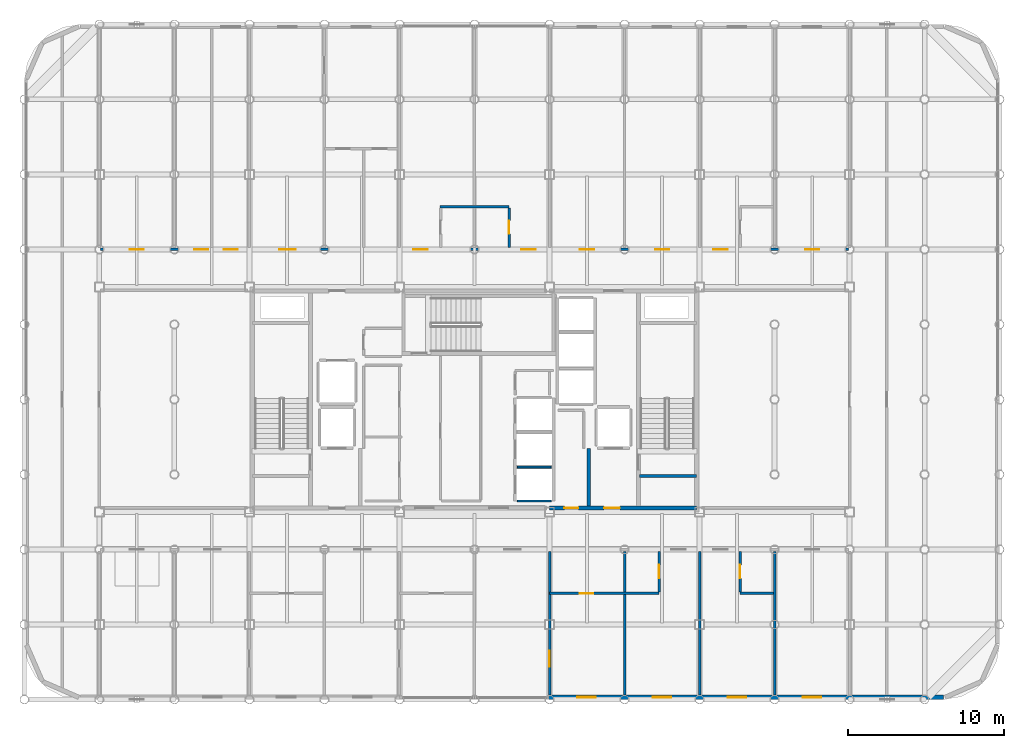
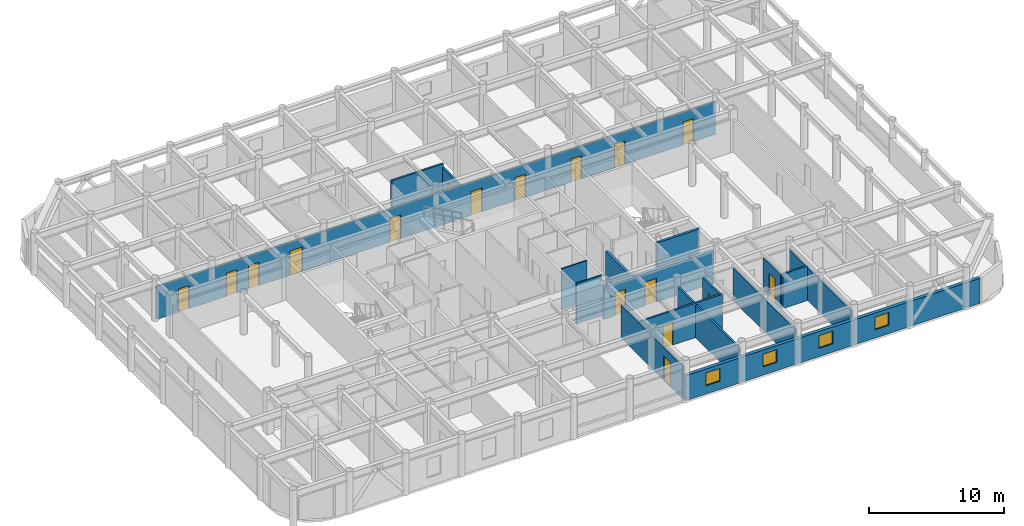
# One storey, part 20 of 24: 17 doors, 17 walls, 4 windows, 21 openings.
"""IFC4 building model written with IfcOpenShell, lengths in metres."""

from ifc_helpers import new_model, si_unit, direction, frame, frame_2d, origin, place, context, subcontext, project, spatial, rectangle, extrude, material, layer, layer_set, type_object, element, fill, save


model = new_model("IFC4")

# Units and contexts
model_context = context("Model", 3, precision=1e-05, world=origin(), true_north=direction((0.0, 1.0)))
body_context = subcontext(model_context, "Body", "Model", "MODEL_VIEW")
ifc_project = project(units=[si_unit("LENGTHUNIT", "METRE"), si_unit("AREAUNIT", "SQUARE_METRE"), si_unit("VOLUMEUNIT", "CUBIC_METRE"), si_unit("PLANEANGLEUNIT", "RADIAN"), si_unit("MASSUNIT", "GRAM", prefix="KILO")], contexts=[model_context])

# Site, building, storey
site_placement = place(None, origin())
site = spatial("IfcSite", under=ifc_project, at=site_placement, CompositionType="ELEMENT")
building_placement = place(site_placement, origin())
building = spatial("IfcBuilding", under=site, at=building_placement, Name="Kallvorn Hotel Tower", CompositionType="ELEMENT")
storey_placement = place(building_placement, frame((0.0, 0.0, 233.85009765625)))
storey = spatial("IfcBuildingStorey", under=building, at=storey_placement, Name="L58", CompositionType="ELEMENT", Elevation=233.85009765625)

# Wall, opening, door
ifc_material_1 = material(Name="Fire-rated double-layer acoustic gypsum drywall EI 60")
ifc_layer_1 = layer(ifc_material_1, 0.159912109375)
ifc_layer_set_1 = layer_set([ifc_layer_1], Name="WL_DEMISE_160")
wall_type_1 = type_object("IfcWallType", Name="WL_DEMISE_160", PredefinedType="PARTITIONING", material=ifc_layer_set_1)
wall_1_placement = place(storey_placement, frame((4.800048828125, -12.409912109375, 0.0), z_axis=(0.0, 0.0, 1.0), x_axis=(1.0, 0.0, 0.0)))
wall_1 = element("IfcWall", 1, at=wall_1_placement, inside=storey, type_object=wall_type_1, Name="L58 Suite 5803 Executive Bedroom Partition", PredefinedType="PARTITIONING", context=body_context, shape_type="SweptSolid", body=[
    extrude(rectangle(XDim=7.010009765625, YDim=0.159912109375, at=frame_2d((3.5048828125, 0.0))), origin(), (0.0, 0.0, 1.0), 3.119873046875),
])
opening_1_placement = place(wall_1_placement, frame((1.929931640625, 0.0, 0.0)))
opening_1 = element("IfcOpeningElement", 2, at=opening_1_placement, cuts=wall_1, Name="Opening BD-I", PredefinedType="OPENING", context=body_context, shape_type="SweptSolid", body=[
    extrude(rectangle(XDim=0.860107421875, YDim=2.10009765625, at=frame_2d((0.43017578125, 1.050048828125))), frame((0.0, 0.094970703125, 0.0), z_axis=(0.0, -1.0, 0.0), x_axis=(1.0, 0.0, 0.0)), (0.0, 0.0, 1.0), 0.18994140625),
])
ifc_material_2 = material(Name="Solid-core walnut veneer fire-rated timber door leaf", Category="wood")
door_type_1 = type_object("IfcDoorType", Name="DR_BATH_860x2100", OperationType="NOTDEFINED", PredefinedType="DOOR", material=ifc_material_2)
door_1_placement = place(opening_1_placement, origin())
door_1 = element("IfcDoor", 3, at=door_1_placement, inside=storey, type_object=door_type_1, Name="L58 Suite 5803 En-Suite Bathroom Door", OperationType="SINGLE_SWING_RIGHT", OverallHeight=2.10009765625, OverallWidth=0.860107421875, PredefinedType="DOOR", context=body_context, shape_type="SweptSolid", body=[
    extrude(rectangle(XDim=0.860107421875, YDim=2.10009765625, at=frame_2d((0.43017578125, 1.050048828125))), frame((0.0, 0.02490234375, 0.0), z_axis=(0.0, -1.0, 0.0), x_axis=(1.0, 0.0, 0.0)), (0.0, 0.0, 1.0), 0.050048828125),
])
fill(opening_1, door_1)

# Wall
wall_2_placement = place(storey_placement, frame((16.989990234375, -12.409912109375, 0.0), z_axis=(0.0, 0.0, 1.0), x_axis=(1.0, 0.0, 0.0)))
element("IfcWall", 4, at=wall_2_placement, inside=storey, type_object=wall_type_1, Name="L58 Suite 5805 Deluxe King Room Partition", PredefinedType="PARTITIONING", context=body_context, shape_type="SweptSolid", body=[
    extrude(rectangle(XDim=2.130126953125, YDim=0.159912109375, at=frame_2d((1.06494140625, 0.0))), origin(), (0.0, 0.0, 1.0), 3.119873046875),
])

# Wall, openings, doors
wall_3_placement = place(storey_placement, frame((-23.919921875, 9.60009765625, 0.0), z_axis=(0.0, 0.0, 1.0), x_axis=(1.0, 0.0, 0.0)))
wall_3 = element("IfcWall", 5, at=wall_3_placement, inside=storey, type_object=wall_type_1, Name="L58 Suite 5806 Junior Living Salon Partition", PredefinedType="PARTITIONING", context=body_context, shape_type="SweptSolid", body=[
    extrude(rectangle(XDim=47.83984375, YDim=0.159912109375, at=frame_2d((23.919921875, 0.0))), origin(), (0.0, 0.0, 1.0), 2.969970703125),
])
opening_2_placement = place(wall_3_placement, frame((1.8701171875, 0.0, 0.0)))
opening_2 = element("IfcOpeningElement", 6, at=opening_2_placement, cuts=wall_3, Name="Opening SVD1", PredefinedType="OPENING", context=body_context, shape_type="SweptSolid", body=[
    extrude(rectangle(XDim=0.89990234375, YDim=2.10009765625, at=frame_2d((0.449951171875, 1.050048828125))), frame((0.0, 0.094970703125, 0.0), z_axis=(0.0, -1.0, 0.0), x_axis=(1.0, 0.0, 0.0)), (0.0, 0.0, 1.0), 0.18994140625),
])
opening_3_placement = place(wall_3_placement, frame((45.070068359375, 0.0, 0.0)))
opening_3 = element("IfcOpeningElement", 7, at=opening_3_placement, cuts=wall_3, Name="Opening SVD1", PredefinedType="OPENING", context=body_context, shape_type="SweptSolid", body=[
    extrude(rectangle(XDim=0.89990234375, YDim=2.10009765625, at=frame_2d((0.449951171875, 1.050048828125))), frame((0.0, 0.094970703125, 0.0), z_axis=(0.0, -1.0, 0.0), x_axis=(1.0, 0.0, 0.0)), (0.0, 0.0, 1.0), 0.18994140625),
])
opening_4_placement = place(wall_3_placement, frame((5.97998046875, 0.0, 0.0)))
opening_4 = element("IfcOpeningElement", 8, at=opening_4_placement, cuts=wall_3, Name="Opening SVD1", PredefinedType="OPENING", context=body_context, shape_type="SweptSolid", body=[
    extrude(rectangle(XDim=0.89990234375, YDim=2.10009765625, at=frame_2d((0.449951171875, 1.050048828125))), frame((0.0, 0.094970703125, 0.0), z_axis=(0.0, -1.0, 0.0), x_axis=(1.0, 0.0, 0.0)), (0.0, 0.0, 1.0), 0.18994140625),
])
opening_5_placement = place(wall_3_placement, frame((7.8701171875, 0.0, 0.0)))
opening_5 = element("IfcOpeningElement", 9, at=opening_5_placement, cuts=wall_3, Name="Opening SVD1", PredefinedType="OPENING", context=body_context, shape_type="SweptSolid", body=[
    extrude(rectangle(XDim=0.89990234375, YDim=2.10009765625, at=frame_2d((0.449951171875, 1.050048828125))), frame((0.0, 0.094970703125, 0.0), z_axis=(0.0, -1.0, 0.0), x_axis=(1.0, 0.0, 0.0)), (0.0, 0.0, 1.0), 0.18994140625),
])
opening_6_placement = place(wall_3_placement, frame((11.43505859375, 0.0, 0.0)))
opening_6 = element("IfcOpeningElement", 10, at=opening_6_placement, cuts=wall_3, Name="Opening GD2", PredefinedType="OPENING", context=body_context, shape_type="SweptSolid", body=[
    extrude(rectangle(XDim=1.050048828125, YDim=2.199951171875, at=frame_2d((0.52490234375, 1.10009765625))), frame((0.0, 0.094970703125, 0.0), z_axis=(0.0, -1.0, 0.0), x_axis=(1.0, 0.0, 0.0)), (0.0, 0.0, 1.0), 0.18994140625),
])
opening_7_placement = place(wall_3_placement, frame((19.9951171875, 0.0, 0.0)))
opening_7 = element("IfcOpeningElement", 11, at=opening_7_placement, cuts=wall_3, Name="Opening GD1", PredefinedType="OPENING", context=body_context, shape_type="SweptSolid", body=[
    extrude(rectangle(XDim=0.919921875, YDim=2.14990234375, at=frame_2d((0.4599609375, 1.074951171875))), frame((0.0, 0.094970703125, 0.0), z_axis=(0.0, -1.0, 0.0), x_axis=(1.0, 0.0, 0.0)), (0.0, 0.0, 1.0), 0.18994140625),
])
opening_8_placement = place(wall_3_placement, frame((26.925048828125, 0.0, 0.0)))
opening_8 = element("IfcOpeningElement", 12, at=opening_8_placement, cuts=wall_3, Name="Opening GD1", PredefinedType="OPENING", context=body_context, shape_type="SweptSolid", body=[
    extrude(rectangle(XDim=0.919921875, YDim=2.14990234375, at=frame_2d((0.4599609375, 1.074951171875))), frame((0.0, 0.094970703125, 0.0), z_axis=(0.0, -1.0, 0.0), x_axis=(1.0, 0.0, 0.0)), (0.0, 0.0, 1.0), 0.18994140625),
])
opening_9_placement = place(wall_3_placement, frame((30.669921875, 0.0, 0.0)))
opening_9 = element("IfcOpeningElement", 13, at=opening_9_placement, cuts=wall_3, Name="Opening SVD1", PredefinedType="OPENING", context=body_context, shape_type="SweptSolid", body=[
    extrude(rectangle(XDim=0.89990234375, YDim=2.10009765625, at=frame_2d((0.449951171875, 1.050048828125))), frame((0.0, 0.094970703125, 0.0), z_axis=(0.0, -1.0, 0.0), x_axis=(1.0, 0.0, 0.0)), (0.0, 0.0, 1.0), 0.18994140625),
])
opening_10_placement = place(wall_3_placement, frame((35.469970703125, 0.0, 0.0)))
opening_10 = element("IfcOpeningElement", 14, at=opening_10_placement, cuts=wall_3, Name="Opening SVD1", PredefinedType="OPENING", context=body_context, shape_type="SweptSolid", body=[
    extrude(rectangle(XDim=0.89990234375, YDim=2.10009765625, at=frame_2d((0.449951171875, 1.050048828125))), frame((0.0, 0.094970703125, 0.0), z_axis=(0.0, -1.0, 0.0), x_axis=(1.0, 0.0, 0.0)), (0.0, 0.0, 1.0), 0.18994140625),
])
opening_11_placement = place(wall_3_placement, frame((39.195068359375, 0.0, 0.0)))
opening_11 = element("IfcOpeningElement", 15, at=opening_11_placement, cuts=wall_3, Name="Opening GD1", PredefinedType="OPENING", context=body_context, shape_type="SweptSolid", body=[
    extrude(rectangle(XDim=0.919921875, YDim=2.14990234375, at=frame_2d((0.4599609375, 1.074951171875))), frame((0.0, 0.094970703125, 0.0), z_axis=(0.0, -1.0, 0.0), x_axis=(1.0, 0.0, 0.0)), (0.0, 0.0, 1.0), 0.18994140625),
])
ifc_material_3 = material(Name="Solid-core walnut veneer fire-rated timber door leaf", Category="wood")
door_type_2 = type_object("IfcDoorType", Name="DR_GUEST_920x2150", OperationType="NOTDEFINED", PredefinedType="DOOR", material=ifc_material_3)
door_2_placement = place(opening_7_placement, origin())
door_2 = element("IfcDoor", 16, at=door_2_placement, inside=storey, type_object=door_type_2, Name="L58 Suite 5807 Standard King Room Door", OperationType="SINGLE_SWING_LEFT", OverallHeight=2.14990234375, OverallWidth=0.919921875, PredefinedType="DOOR", context=body_context, shape_type="SweptSolid", body=[
    extrude(rectangle(XDim=0.919921875, YDim=2.14990234375, at=frame_2d((0.4599609375, 1.074951171875))), frame((0.0, 0.02490234375, 0.0), z_axis=(0.0, -1.0, 0.0), x_axis=(1.0, 0.0, 0.0)), (0.0, 0.0, 1.0), 0.050048828125),
])
fill(opening_7, door_2)
door_3_placement = place(opening_8_placement, origin())
door_3 = element("IfcDoor", 17, at=door_3_placement, inside=storey, type_object=door_type_2, Name="L58 Suite 5808 Standard King Room Door", OperationType="SINGLE_SWING_RIGHT", OverallHeight=2.14990234375, OverallWidth=0.919921875, PredefinedType="DOOR", context=body_context, shape_type="SweptSolid", body=[
    extrude(rectangle(XDim=0.919921875, YDim=2.14990234375, at=frame_2d((0.4599609375, 1.074951171875))), frame((0.0, 0.02490234375, 0.0), z_axis=(0.0, -1.0, 0.0), x_axis=(1.0, 0.0, 0.0)), (0.0, 0.0, 1.0), 0.050048828125),
])
fill(opening_8, door_3)
door_4_placement = place(opening_11_placement, origin())
door_4 = element("IfcDoor", 18, at=door_4_placement, inside=storey, type_object=door_type_2, Name="L58 Suite 5809 Standard Twin Room Door", OperationType="SINGLE_SWING_LEFT", OverallHeight=2.14990234375, OverallWidth=0.919921875, PredefinedType="DOOR", context=body_context, shape_type="SweptSolid", body=[
    extrude(rectangle(XDim=0.919921875, YDim=2.14990234375, at=frame_2d((0.4599609375, 1.074951171875))), frame((0.0, 0.02490234375, 0.0), z_axis=(0.0, -1.0, 0.0), x_axis=(1.0, 0.0, 0.0)), (0.0, 0.0, 1.0), 0.050048828125),
])
fill(opening_11, door_4)
ifc_material_4 = material(Name="Galvanised painted steel fire-rated door assembly", Category="steel")
door_type_3 = type_object("IfcDoorType", Name="DR_SERV_900x2100", OperationType="NOTDEFINED", PredefinedType="DOOR", material=ifc_material_4)
door_5_placement = place(opening_2_placement, origin())
door_5 = element("IfcDoor", 19, at=door_5_placement, inside=storey, type_object=door_type_3, Name="L58 L58 High-Zone North-West Reading Salon Door", OperationType="SINGLE_SWING_LEFT", OverallHeight=2.10009765625, OverallWidth=0.89990234375, PredefinedType="DOOR", context=body_context, shape_type="SweptSolid", body=[
    extrude(rectangle(XDim=0.89990234375, YDim=2.10009765625, at=frame_2d((0.449951171875, 1.050048828125))), frame((0.0, 0.02490234375, 0.0), z_axis=(0.0, -1.0, 0.0), x_axis=(1.0, 0.0, 0.0)), (0.0, 0.0, 1.0), 0.050048828125),
])
fill(opening_2, door_5)
door_6_placement = place(opening_3_placement, origin())
door_6 = element("IfcDoor", 20, at=door_6_placement, inside=storey, type_object=door_type_3, Name="L58 L58 High-Zone North-East Pastry Bar Door", OperationType="SINGLE_SWING_RIGHT", OverallHeight=2.10009765625, OverallWidth=0.89990234375, PredefinedType="DOOR", context=body_context, shape_type="SweptSolid", body=[
    extrude(rectangle(XDim=0.89990234375, YDim=2.10009765625, at=frame_2d((0.449951171875, 1.050048828125))), frame((0.0, 0.02490234375, 0.0), z_axis=(0.0, -1.0, 0.0), x_axis=(1.0, 0.0, 0.0)), (0.0, 0.0, 1.0), 0.050048828125),
])
fill(opening_3, door_6)
door_7_placement = place(opening_4_placement, origin())
door_7 = element("IfcDoor", 21, at=door_7_placement, inside=storey, type_object=door_type_3, Name="L58 Housekeeping and Linen Room Door", OperationType="SINGLE_SWING_RIGHT", OverallHeight=2.10009765625, OverallWidth=0.89990234375, PredefinedType="DOOR", context=body_context, shape_type="SweptSolid", body=[
    extrude(rectangle(XDim=0.89990234375, YDim=2.10009765625, at=frame_2d((0.449951171875, 1.050048828125))), frame((0.0, 0.02490234375, 0.0), z_axis=(0.0, -1.0, 0.0), x_axis=(1.0, 0.0, 0.0)), (0.0, 0.0, 1.0), 0.050048828125),
])
fill(opening_4, door_7)
door_8_placement = place(opening_5_placement, origin())
door_8 = element("IfcDoor", 22, at=door_8_placement, inside=storey, type_object=door_type_3, Name="L58 Guest Tea and Refreshment Bar Door", OperationType="SINGLE_SWING_LEFT", OverallHeight=2.10009765625, OverallWidth=0.89990234375, PredefinedType="DOOR", context=body_context, shape_type="SweptSolid", body=[
    extrude(rectangle(XDim=0.89990234375, YDim=2.10009765625, at=frame_2d((0.449951171875, 1.050048828125))), frame((0.0, 0.02490234375, 0.0), z_axis=(0.0, -1.0, 0.0), x_axis=(1.0, 0.0, 0.0)), (0.0, 0.0, 1.0), 0.050048828125),
])
fill(opening_5, door_8)
door_9_placement = place(opening_9_placement, origin())
door_9 = element("IfcDoor", 23, at=door_9_placement, inside=storey, type_object=door_type_3, Name="L58 L58 Diplomatic Summit Conference Boardroom 5-1 Door", OperationType="SINGLE_SWING_RIGHT", OverallHeight=2.10009765625, OverallWidth=0.89990234375, PredefinedType="DOOR", context=body_context, shape_type="SweptSolid", body=[
    extrude(rectangle(XDim=0.89990234375, YDim=2.10009765625, at=frame_2d((0.449951171875, 1.050048828125))), frame((0.0, 0.02490234375, 0.0), z_axis=(0.0, -1.0, 0.0), x_axis=(1.0, 0.0, 0.0)), (0.0, 0.0, 1.0), 0.050048828125),
])
fill(opening_9, door_9)
door_10_placement = place(opening_10_placement, origin())
door_10 = element("IfcDoor", 24, at=door_10_placement, inside=storey, type_object=door_type_3, Name="L58 L58 Diplomatic Summit Conference Boardroom 5-2 Door", OperationType="SINGLE_SWING_LEFT", OverallHeight=2.10009765625, OverallWidth=0.89990234375, PredefinedType="DOOR", context=body_context, shape_type="SweptSolid", body=[
    extrude(rectangle(XDim=0.89990234375, YDim=2.10009765625, at=frame_2d((0.449951171875, 1.050048828125))), frame((0.0, 0.02490234375, 0.0), z_axis=(0.0, -1.0, 0.0), x_axis=(1.0, 0.0, 0.0)), (0.0, 0.0, 1.0), 0.050048828125),
])
fill(opening_10, door_10)
ifc_material_5 = material(Name="Solid-core walnut veneer fire-rated timber door leaf", Category="wood")
door_type_4 = type_object("IfcDoorType", Name="DR_SUITE_1050x2200", OperationType="NOTDEFINED", PredefinedType="DOOR", material=ifc_material_5)
door_11_placement = place(opening_6_placement, origin())
door_11 = element("IfcDoor", 25, at=door_11_placement, inside=storey, type_object=door_type_4, Name="L58 Suite 5806 Junior Living Salon Door", OperationType="SINGLE_SWING_LEFT", OverallHeight=2.199951171875, OverallWidth=1.050048828125, PredefinedType="DOOR", context=body_context, shape_type="SweptSolid", body=[
    extrude(rectangle(XDim=1.050048828125, YDim=2.199951171875, at=frame_2d((0.52490234375, 1.10009765625))), frame((0.0, 0.02490234375, 0.0), z_axis=(0.0, -1.0, 0.0), x_axis=(1.0, 0.0, 0.0)), (0.0, 0.0, 1.0), 0.050048828125),
])
fill(opening_6, door_11)

# Wall
wall_4_placement = place(storey_placement, frame((-2.2099609375, 12.320068359375, 0.0), z_axis=(0.0, 0.0, 1.0), x_axis=(1.0, 0.0, 0.0)))
element("IfcWall", 26, at=wall_4_placement, inside=storey, type_object=wall_type_1, Name="L58 Suite 5807 Standard King Room Partition", PredefinedType="PARTITIONING", context=body_context, shape_type="SweptSolid", body=[
    extrude(rectangle(XDim=4.419921875, YDim=0.159912109375, at=frame_2d((2.2099609375, 0.0))), origin(), (0.0, 0.0, 1.0), 3.309814453125),
])

# Wall, opening, door
wall_5_placement = place(storey_placement, frame((2.2099609375, 9.719970703125, 0.0), z_axis=(0.0, 0.0, 1.0), x_axis=(0.0, 1.0, 0.0)))
wall_5 = element("IfcWall", 27, at=wall_5_placement, inside=storey, type_object=wall_type_1, Name="L58 Suite 5808 Standard King Room Partition", PredefinedType="PARTITIONING", context=body_context, shape_type="SweptSolid", body=[
    extrude(rectangle(XDim=2.51513671875, YDim=0.159912109375, at=frame_2d((1.257568359375, 0.0))), origin(), (0.0, 0.0, 1.0), 2.969970703125),
])
opening_12_placement = place(wall_5_placement, frame((0.8701171875, 0.0, 0.0)))
opening_12 = element("IfcOpeningElement", 28, at=opening_12_placement, cuts=wall_5, Name="Opening BD-I", PredefinedType="OPENING", context=body_context, shape_type="SweptSolid", body=[
    extrude(rectangle(XDim=0.860107421875, YDim=2.10009765625, at=frame_2d((0.43017578125, 1.050048828125))), frame((0.0, 0.094970703125, 0.0), z_axis=(0.0, -1.0, 0.0), x_axis=(1.0, 0.0, 0.0)), (0.0, 0.0, 1.0), 0.18994140625),
])
door_12_placement = place(opening_12_placement, origin())
door_12 = element("IfcDoor", 29, at=door_12_placement, inside=storey, type_object=door_type_1, Name="L58 Suite 5808 En-Suite Bathroom Door", OperationType="SINGLE_SWING_RIGHT", OverallHeight=2.10009765625, OverallWidth=0.860107421875, PredefinedType="DOOR", context=body_context, shape_type="SweptSolid", body=[
    extrude(rectangle(XDim=0.860107421875, YDim=2.10009765625, at=frame_2d((0.43017578125, 1.050048828125))), frame((0.0, 0.02490234375, 0.0), z_axis=(0.0, -1.0, 0.0), x_axis=(1.0, 0.0, 0.0)), (0.0, 0.0, 1.0), 0.050048828125),
])
fill(opening_12, door_12)

wall_6_placement = place(storey_placement, frame((4.800048828125, -18.909912109375, 0.0), z_axis=(0.0, 0.0, 1.0), x_axis=(0.0, 1.0, 0.0)))
wall_6 = element("IfcWall", 30, at=wall_6_placement, inside=storey, type_object=wall_type_1, Name="L58 Suite 5803 Executive Bedroom Partition", PredefinedType="PARTITIONING", context=body_context, shape_type="SweptSolid", body=[
    extrude(rectangle(XDim=9.18994140625, YDim=0.159912109375, at=frame_2d((4.594970703125, 0.0))), origin(), (0.0, 0.0, 1.0), 2.969970703125),
])
opening_13_placement = place(wall_6_placement, frame((1.79296875, 0.0, 0.0)))
opening_13 = element("IfcOpeningElement", 31, at=opening_13_placement, cuts=wall_6, Name="Opening GD2", PredefinedType="OPENING", context=body_context, shape_type="SweptSolid", body=[
    extrude(rectangle(XDim=1.050048828125, YDim=2.199951171875, at=frame_2d((0.52490234375, 1.10009765625))), frame((0.0, 0.094970703125, 0.0), z_axis=(0.0, -1.0, 0.0), x_axis=(1.0, 0.0, 0.0)), (0.0, 0.0, 1.0), 0.18994140625),
])
door_13_placement = place(opening_13_placement, origin())
door_13 = element("IfcDoor", 32, at=door_13_placement, inside=storey, type_object=door_type_4, Name="L58 Suite 5803 Executive Bedroom Door", OperationType="SINGLE_SWING_LEFT", OverallHeight=2.199951171875, OverallWidth=1.050048828125, PredefinedType="DOOR", context=body_context, shape_type="SweptSolid", body=[
    extrude(rectangle(XDim=1.050048828125, YDim=2.199951171875, at=frame_2d((0.52490234375, 1.10009765625))), frame((0.0, 0.02490234375, 0.0), z_axis=(0.0, -1.0, 0.0), x_axis=(1.0, 0.0, 0.0)), (0.0, 0.0, 1.0), 0.050048828125),
])
fill(opening_13, door_13)

# Wall
wall_7_placement = place(storey_placement, frame((9.60009765625, -18.909912109375, 0.0), z_axis=(0.0, 0.0, 1.0), x_axis=(0.0, 1.0, 0.0)))
element("IfcWall", 33, at=wall_7_placement, inside=storey, type_object=wall_type_1, Name="L58 Suite 5803 Executive Bedroom Partition", PredefinedType="PARTITIONING", context=body_context, shape_type="SweptSolid", body=[
    extrude(rectangle(XDim=9.18994140625, YDim=0.159912109375, at=frame_2d((4.594970703125, 0.0))), origin(), (0.0, 0.0, 1.0), 2.969970703125),
])

# Wall, opening, door
wall_8_placement = place(storey_placement, frame((11.81005859375, -12.320068359375, 0.0), z_axis=(0.0, 0.0, 1.0), x_axis=(0.0, 1.0, 0.0)))
wall_8 = element("IfcWall", 34, at=wall_8_placement, inside=storey, type_object=wall_type_1, Name="L58 Suite 5804 Deluxe King Room Partition", PredefinedType="PARTITIONING", context=body_context, shape_type="SweptSolid", body=[
    extrude(rectangle(XDim=2.60009765625, YDim=0.159912109375, at=frame_2d((1.300048828125, 0.0))), origin(), (0.0, 0.0, 1.0), 2.969970703125),
])
opening_14_placement = place(wall_8_placement, frame((0.8701171875, 0.0, 0.0)))
opening_14 = element("IfcOpeningElement", 35, at=opening_14_placement, cuts=wall_8, Name="Opening BD-I", PredefinedType="OPENING", context=body_context, shape_type="SweptSolid", body=[
    extrude(rectangle(XDim=0.860107421875, YDim=2.10009765625, at=frame_2d((0.43017578125, 1.050048828125))), frame((0.0, 0.094970703125, 0.0), z_axis=(0.0, -1.0, 0.0), x_axis=(1.0, 0.0, 0.0)), (0.0, 0.0, 1.0), 0.18994140625),
])
door_14_placement = place(opening_14_placement, origin())
door_14 = element("IfcDoor", 36, at=door_14_placement, inside=storey, type_object=door_type_1, Name="L58 Suite 5804 En-Suite Bathroom Door", OperationType="SINGLE_SWING_RIGHT", OverallHeight=2.10009765625, OverallWidth=0.860107421875, PredefinedType="DOOR", context=body_context, shape_type="SweptSolid", body=[
    extrude(rectangle(XDim=0.860107421875, YDim=2.10009765625, at=frame_2d((0.43017578125, 1.050048828125))), frame((0.0, 0.02490234375, 0.0), z_axis=(0.0, -1.0, 0.0), x_axis=(1.0, 0.0, 0.0)), (0.0, 0.0, 1.0), 0.050048828125),
])
fill(opening_14, door_14)

# Wall
wall_9_placement = place(storey_placement, frame((14.39990234375, -18.909912109375, 0.0), z_axis=(0.0, 0.0, 1.0), x_axis=(0.0, 1.0, 0.0)))
element("IfcWall", 37, at=wall_9_placement, inside=storey, type_object=wall_type_1, Name="L58 Suite 5804 Deluxe King Room Partition", PredefinedType="PARTITIONING", context=body_context, shape_type="SweptSolid", body=[
    extrude(rectangle(XDim=9.18994140625, YDim=0.159912109375, at=frame_2d((4.594970703125, 0.0))), origin(), (0.0, 0.0, 1.0), 2.969970703125),
])

# Wall, opening, door
wall_10_placement = place(storey_placement, frame((16.989990234375, -12.320068359375, 0.0), z_axis=(0.0, 0.0, 1.0), x_axis=(0.0, 1.0, 0.0)))
wall_10 = element("IfcWall", 38, at=wall_10_placement, inside=storey, type_object=wall_type_1, Name="L58 Suite 5805 Deluxe King Room Partition", PredefinedType="PARTITIONING", context=body_context, shape_type="SweptSolid", body=[
    extrude(rectangle(XDim=2.60009765625, YDim=0.159912109375, at=frame_2d((1.300048828125, 0.0))), origin(), (0.0, 0.0, 1.0), 2.969970703125),
])
opening_15_placement = place(wall_10_placement, frame((0.8701171875, 0.0, 0.0)))
opening_15 = element("IfcOpeningElement", 39, at=opening_15_placement, cuts=wall_10, Name="Opening BD-I", PredefinedType="OPENING", context=body_context, shape_type="SweptSolid", body=[
    extrude(rectangle(XDim=0.860107421875, YDim=2.10009765625, at=frame_2d((0.43017578125, 1.050048828125))), frame((0.0, 0.094970703125, 0.0), z_axis=(0.0, -1.0, 0.0), x_axis=(1.0, 0.0, 0.0)), (0.0, 0.0, 1.0), 0.18994140625),
])
door_15_placement = place(opening_15_placement, origin())
door_15 = element("IfcDoor", 40, at=door_15_placement, inside=storey, type_object=door_type_1, Name="L58 Suite 5805 En-Suite Bathroom Door", OperationType="SINGLE_SWING_RIGHT", OverallHeight=2.10009765625, OverallWidth=0.860107421875, PredefinedType="DOOR", context=body_context, shape_type="SweptSolid", body=[
    extrude(rectangle(XDim=0.860107421875, YDim=2.10009765625, at=frame_2d((0.43017578125, 1.050048828125))), frame((0.0, 0.02490234375, 0.0), z_axis=(0.0, -1.0, 0.0), x_axis=(1.0, 0.0, 0.0)), (0.0, 0.0, 1.0), 0.050048828125),
])
fill(opening_15, door_15)

# Wall
wall_11_placement = place(storey_placement, frame((19.199951171875, -18.909912109375, 0.0), z_axis=(0.0, 0.0, 1.0), x_axis=(0.0, 1.0, 0.0)))
element("IfcWall", 41, at=wall_11_placement, inside=storey, type_object=wall_type_1, Name="L58 Suite 5805 Deluxe King Room Partition", PredefinedType="PARTITIONING", context=body_context, shape_type="SweptSolid", body=[
    extrude(rectangle(XDim=9.18994140625, YDim=0.159912109375, at=frame_2d((4.594970703125, 0.0))), origin(), (0.0, 0.0, 1.0), 2.969970703125),
])

# Wall, openings, windows
ifc_material_6 = material(Name="Precast basalt-clad insulated concrete wall C40/50", Category="masonry")
ifc_layer_2 = layer(ifc_material_6, 0.280029296875)
ifc_layer_set_2 = layer_set([ifc_layer_2], Name="WL_EXT_LOGGIA_280")
wall_type_2 = type_object("IfcWallType", Name="WL_EXT_LOGGIA_280", PredefinedType="SOLIDWALL", material=ifc_layer_set_2)
wall_12_placement = place(storey_placement, frame((4.75, -19.06005859375, 0.0), z_axis=(0.0, 0.0, 1.0), x_axis=(1.0, 0.0, 0.0)))
wall_12 = element("IfcWall", 42, at=wall_12_placement, inside=storey, type_object=wall_type_2, Name="L58 Exterior Envelope Wall EW-L58-SE", PredefinedType="SOLIDWALL", context=body_context, shape_type="SweptSolid", body=[
    extrude(rectangle(XDim=25.25, YDim=0.280029296875, at=frame_2d((12.625, 0.0))), origin(), (0.0, 0.0, 1.0), 2.27001953125),
])
opening_16_placement = place(wall_12_placement, frame((16.25, 0.0, 0.75)))
opening_16 = element("IfcOpeningElement", 43, at=opening_16_placement, cuts=wall_12, Name="Opening W06A", PredefinedType="OPENING", context=body_context, shape_type="SweptSolid", body=[
    extrude(rectangle(XDim=1.199951171875, YDim=1.14990234375, at=frame_2d((0.60009765625, 0.574951171875))), frame((0.0, 0.155029296875, 0.0), z_axis=(0.0, -1.0, 0.0), x_axis=(1.0, 0.0, 0.0)), (0.0, 0.0, 1.0), 0.31005859375),
])
opening_17_placement = place(wall_12_placement, frame((1.81005859375, 0.0, 0.75)))
opening_17 = element("IfcOpeningElement", 44, at=opening_17_placement, cuts=wall_12, Name="Opening W06A", PredefinedType="OPENING", context=body_context, shape_type="SweptSolid", body=[
    extrude(rectangle(XDim=1.199951171875, YDim=1.14990234375, at=frame_2d((0.60009765625, 0.574951171875))), frame((0.0, 0.155029296875, 0.0), z_axis=(0.0, -1.0, 0.0), x_axis=(1.0, 0.0, 0.0)), (0.0, 0.0, 1.0), 0.31005859375),
])
opening_18_placement = place(wall_12_placement, frame((6.64990234375, 0.0, 0.75)))
opening_18 = element("IfcOpeningElement", 45, at=opening_18_placement, cuts=wall_12, Name="Opening W06A", PredefinedType="OPENING", context=body_context, shape_type="SweptSolid", body=[
    extrude(rectangle(XDim=1.199951171875, YDim=1.14990234375, at=frame_2d((0.60009765625, 0.574951171875))), frame((0.0, 0.155029296875, 0.0), z_axis=(0.0, -1.0, 0.0), x_axis=(1.0, 0.0, 0.0)), (0.0, 0.0, 1.0), 0.31005859375),
])
opening_19_placement = place(wall_12_placement, frame((11.449951171875, 0.0, 0.75)))
opening_19 = element("IfcOpeningElement", 46, at=opening_19_placement, cuts=wall_12, Name="Opening W06A", PredefinedType="OPENING", context=body_context, shape_type="SweptSolid", body=[
    extrude(rectangle(XDim=1.199951171875, YDim=1.14990234375, at=frame_2d((0.60009765625, 0.574951171875))), frame((0.0, 0.155029296875, 0.0), z_axis=(0.0, -1.0, 0.0), x_axis=(1.0, 0.0, 0.0)), (0.0, 0.0, 1.0), 0.31005859375),
])
ifc_material_7 = material(Name="Triple-glazed low-e acoustic solar-control dark glass", Category="glass")
window_type = type_object("IfcWindowType", Name="WN_HTL_1200x1150", PartitioningType="SINGLE_PANEL", PredefinedType="WINDOW", material=ifc_material_7)
window_1_placement = place(opening_16_placement, origin())
window_1 = element("IfcWindow", 47, at=window_1_placement, inside=storey, type_object=window_type, Name="L58 Guestroom Exterior Window 01", OverallHeight=1.14990234375, OverallWidth=1.199951171875, PartitioningType="SINGLE_PANEL", PredefinedType="WINDOW", context=body_context, shape_type="SweptSolid", body=[
    extrude(rectangle(XDim=1.199951171875, YDim=1.14990234375, at=frame_2d((0.60009765625, 0.574951171875))), frame((0.0, 0.030029296875, 0.0), z_axis=(0.0, -1.0, 0.0), x_axis=(1.0, 0.0, 0.0)), (0.0, 0.0, 1.0), 0.06005859375),
])
fill(opening_16, window_1)
window_2_placement = place(opening_17_placement, origin())
window_2 = element("IfcWindow", 48, at=window_2_placement, inside=storey, type_object=window_type, Name="L58 Guestroom Exterior Window 06", OverallHeight=1.14990234375, OverallWidth=1.199951171875, PartitioningType="SINGLE_PANEL", PredefinedType="WINDOW", context=body_context, shape_type="SweptSolid", body=[
    extrude(rectangle(XDim=1.199951171875, YDim=1.14990234375, at=frame_2d((0.60009765625, 0.574951171875))), frame((0.0, 0.030029296875, 0.0), z_axis=(0.0, -1.0, 0.0), x_axis=(1.0, 0.0, 0.0)), (0.0, 0.0, 1.0), 0.06005859375),
])
fill(opening_17, window_2)
window_3_placement = place(opening_18_placement, origin())
window_3 = element("IfcWindow", 49, at=window_3_placement, inside=storey, type_object=window_type, Name="L58 Guestroom Exterior Window 07", OverallHeight=1.14990234375, OverallWidth=1.199951171875, PartitioningType="SINGLE_PANEL", PredefinedType="WINDOW", context=body_context, shape_type="SweptSolid", body=[
    extrude(rectangle(XDim=1.199951171875, YDim=1.14990234375, at=frame_2d((0.60009765625, 0.574951171875))), frame((0.0, 0.030029296875, 0.0), z_axis=(0.0, -1.0, 0.0), x_axis=(1.0, 0.0, 0.0)), (0.0, 0.0, 1.0), 0.06005859375),
])
fill(opening_18, window_3)
window_4_placement = place(opening_19_placement, origin())
window_4 = element("IfcWindow", 50, at=window_4_placement, inside=storey, type_object=window_type, Name="L58 Guestroom Exterior Window 08", OverallHeight=1.14990234375, OverallWidth=1.199951171875, PartitioningType="SINGLE_PANEL", PredefinedType="WINDOW", context=body_context, shape_type="SweptSolid", body=[
    extrude(rectangle(XDim=1.199951171875, YDim=1.14990234375, at=frame_2d((0.60009765625, 0.574951171875))), frame((0.0, 0.030029296875, 0.0), z_axis=(0.0, -1.0, 0.0), x_axis=(1.0, 0.0, 0.0)), (0.0, 0.0, 1.0), 0.06005859375),
])
fill(opening_19, window_4)

# Walls
ifc_material_8 = material(Name="Concrete C40/50", Category="concrete")
ifc_layer_3 = layer(ifc_material_8, 0.219970703125)
ifc_layer_set_3 = layer_set([ifc_layer_3], Name="WL_FFL_220")
wall_type_3 = type_object("IfcWallType", Name="WL_FFL_220", PredefinedType="SOLIDWALL", material=ifc_layer_set_3)
wall_13_placement = place(storey_placement, frame((7.300048828125, -6.820068359375, 0.0), z_axis=(0.0, 0.0, 1.0), x_axis=(0.0, 1.0, 0.0)))
element("IfcWall", 51, at=wall_13_placement, inside=storey, type_object=wall_type_3, Name="L58 Firefighting Lobby East Divider Wall", PredefinedType="SOLIDWALL", context=body_context, shape_type="SweptSolid", body=[
    extrude(rectangle(XDim=3.670166015625, YDim=0.219970703125, at=frame_2d((1.8349609375, 0.0))), origin(), (0.0, 0.0, 1.0), 2.969970703125),
])
ifc_material_9 = material(Name="Concrete C40/50", Category="concrete")
ifc_layer_4 = layer(ifc_material_9, 0.199951171875)
ifc_layer_set_4 = layer_set([ifc_layer_4], Name="WL_HOIST_200")
wall_type_4 = type_object("IfcWallType", Name="WL_HOIST_200", PredefinedType="SOLIDWALL", material=ifc_layer_set_4)
wall_14_placement = place(storey_placement, frame((10.550048828125, -4.89990234375, -0.18017578125), z_axis=(0.0, 0.0, 1.0), x_axis=(1.0, 0.0, 0.0)))
element("IfcWall", 52, at=wall_14_placement, inside=storey, type_object=wall_type_4, Name="L58 Stair ST2 South Wall", PredefinedType="SOLIDWALL", context=body_context, shape_type="SweptSolid", body=[
    extrude(rectangle(XDim=3.64990234375, YDim=0.199951171875, at=frame_2d((1.824951171875, 0.0))), origin(), (0.0, 0.0, 1.0), 3.85009765625),
])
ifc_material_10 = material(Name="Fire-rated double-layer acoustic gypsum drywall EI 60")
ifc_layer_5 = layer(ifc_material_10, 0.1201171875)
ifc_layer_set_5 = layer_set([ifc_layer_5], Name="WL_INT_120")
wall_type_5 = type_object("IfcWallType", Name="WL_INT_120", PredefinedType="PARTITIONING", material=ifc_layer_set_5)
for number, where, z_axis, x_axis, name in (
    (53, (2.739990234375, -6.5, 0.0), (0.0, 0.0, 1.0), (1.0, 0.0, 0.0), "L58 Lift Bank B3A South Closure Wall"),
    (54, (2.739990234375, -4.324951171875, 0.0), (0.0, 0.0, 1.0), (1.0, 0.0, 0.0), "L58 PL-09 Hoistway Divider"),
):
    element("IfcWall", number, at=place(storey_placement, frame(where, z_axis=z_axis, x_axis=x_axis)), inside=storey, type_object=wall_type_5, Name=name, PredefinedType="PARTITIONING", context=body_context, shape_type="SweptSolid", body=[
        extrude(rectangle(XDim=2.169921875, YDim=0.1201171875, at=frame_2d((1.0849609375, 0.0))), origin(), (0.0, 0.0, 1.0), 3.669921875),
    ])

# Wall, openings, doors
ifc_material_11 = material(Name="Concrete C40/50", Category="concrete")
ifc_layer_6 = layer(ifc_material_11, 0.25)
ifc_layer_set_6 = layer_set([ifc_layer_6], Name="WL_SHAFT_250")
wall_type_6 = type_object("IfcWallType", Name="WL_SHAFT_250", PredefinedType="SOLIDWALL", material=ifc_layer_set_6)
wall_15_placement = place(storey_placement, frame((4.800048828125, -6.949951171875, 0.0), z_axis=(0.0, 0.0, 1.0), x_axis=(1.0, 0.0, 0.0)))
wall_15 = element("IfcWall", 55, at=wall_15_placement, inside=storey, type_object=wall_type_6, Name="L58 Core South-East Wall", PredefinedType="SOLIDWALL", context=body_context, shape_type="SweptSolid", body=[
    extrude(rectangle(XDim=9.39990234375, YDim=0.25, at=frame_2d((4.699951171875, 0.0))), origin(), (0.0, 0.0, 1.0), 2.969970703125),
])
opening_20_placement = place(wall_15_placement, frame((3.5, 0.0, 0.0)))
opening_20 = element("IfcOpeningElement", 56, at=opening_20_placement, cuts=wall_15, Name="Opening FD1", PredefinedType="OPENING", context=body_context, shape_type="SweptSolid", body=[
    extrude(rectangle(XDim=1.0, YDim=2.14990234375, at=frame_2d((0.5, 1.074951171875))), frame((0.0, 0.139892578125, 0.0), z_axis=(0.0, -1.0, 0.0), x_axis=(1.0, 0.0, 0.0)), (0.0, 0.0, 1.0), 0.280029296875),
])
opening_21_placement = place(wall_15_placement, frame((0.949951171875, 0.0, 0.0)))
opening_21 = element("IfcOpeningElement", 57, at=opening_21_placement, cuts=wall_15, Name="Opening SVD1", PredefinedType="OPENING", context=body_context, shape_type="SweptSolid", body=[
    extrude(rectangle(XDim=0.89990234375, YDim=2.10009765625, at=frame_2d((0.449951171875, 1.050048828125))), frame((0.0, 0.139892578125, 0.0), z_axis=(0.0, -1.0, 0.0), x_axis=(1.0, 0.0, 0.0)), (0.0, 0.0, 1.0), 0.280029296875),
])
ifc_material_12 = material(Name="Galvanised painted steel fire-rated door assembly", Category="steel")
door_type_5 = type_object("IfcDoorType", Name="DR_FFL_1000x2150", OperationType="NOTDEFINED", PredefinedType="DOOR", material=ifc_material_12)
door_16_placement = place(opening_20_placement, origin())
door_16 = element("IfcDoor", 58, at=door_16_placement, inside=storey, type_object=door_type_5, Name="L58 Firefighting Lobby East Door", OperationType="SINGLE_SWING_RIGHT", OverallHeight=2.14990234375, OverallWidth=1.0, PredefinedType="DOOR", context=body_context, shape_type="SweptSolid", body=[
    extrude(rectangle(XDim=1.0, YDim=2.14990234375, at=frame_2d((0.5, 1.074951171875))), frame((0.0, 0.02490234375, 0.0), z_axis=(0.0, -1.0, 0.0), x_axis=(1.0, 0.0, 0.0)), (0.0, 0.0, 1.0), 0.050048828125),
])
fill(opening_20, door_16)
door_17_placement = place(opening_21_placement, origin())
door_17 = element("IfcDoor", 59, at=door_17_placement, inside=storey, type_object=door_type_3, Name="L58 Core Utility and Meter Room Door", OperationType="SINGLE_SWING_LEFT", OverallHeight=2.10009765625, OverallWidth=0.89990234375, PredefinedType="DOOR", context=body_context, shape_type="SweptSolid", body=[
    extrude(rectangle(XDim=0.89990234375, YDim=2.10009765625, at=frame_2d((0.449951171875, 1.050048828125))), frame((0.0, 0.02490234375, 0.0), z_axis=(0.0, -1.0, 0.0), x_axis=(1.0, 0.0, 0.0)), (0.0, 0.0, 1.0), 0.050048828125),
])
fill(opening_21, door_17)

save(model, "model.ifc")
